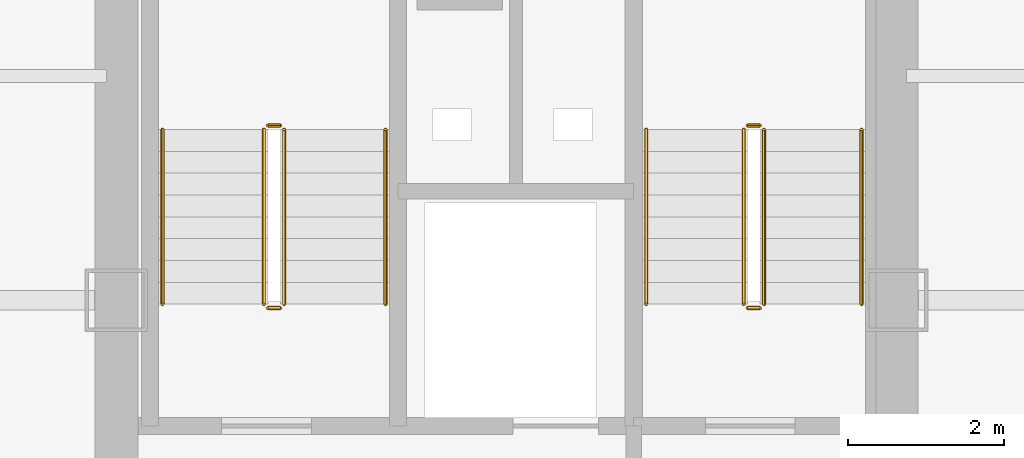
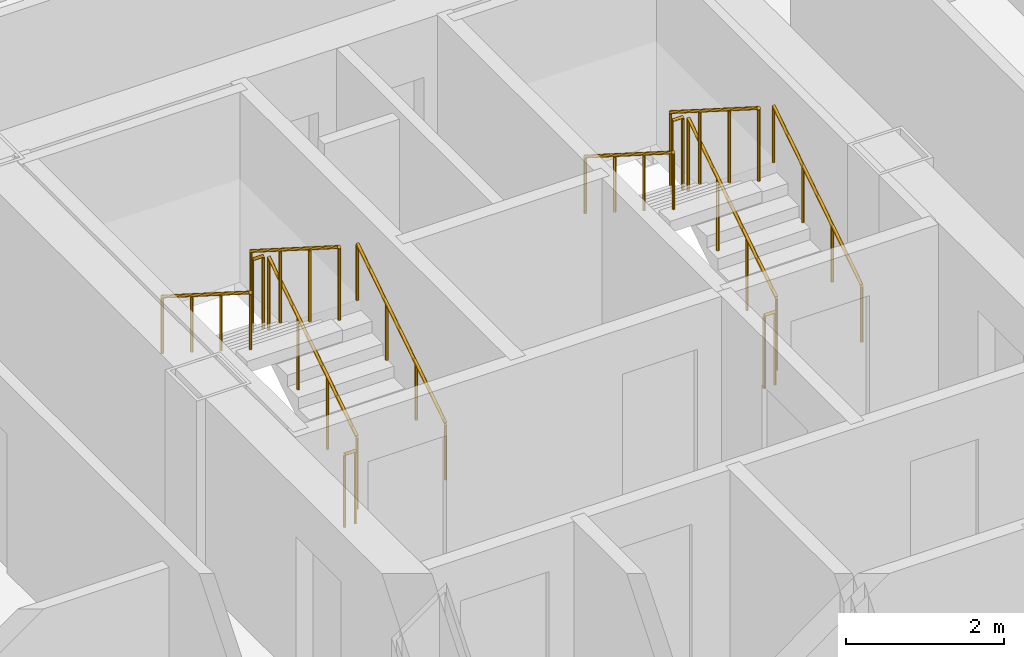
# One storey, part 20 of 21: 12 railings.
"""IFC4 building model written with IfcOpenShell, lengths in metres."""

from ifc_helpers import new_model, si_unit, direction, frame, origin, origin_2d, place, context, subcontext, project, spatial, circle, extrude, material, type_object, element, save


model = new_model("IFC4")

# Units and contexts
model_context = context("Model", 3, precision=1e-05, world=origin(), true_north=direction((0.0, 1.0)))
body_context = subcontext(model_context, "Body", "Model", "MODEL_VIEW")
ifc_project = project(units=[si_unit("LENGTHUNIT", "METRE"), si_unit("AREAUNIT", "SQUARE_METRE"), si_unit("VOLUMEUNIT", "CUBIC_METRE"), si_unit("PLANEANGLEUNIT", "RADIAN"), si_unit("MASSUNIT", "GRAM", prefix="KILO")], contexts=[model_context])

# Site, building, storey
site_placement = place(None, origin())
site = spatial("IfcSite", under=ifc_project, at=site_placement, CompositionType="ELEMENT")
building_placement = place(site_placement, origin())
building = spatial("IfcBuilding", under=site, at=building_placement, Name="Kolveth Station Tower", CompositionType="ELEMENT")
storey_placement = place(building_placement, frame((0.0, 0.0, 115.10009765625)))
storey = spatial("IfcBuildingStorey", under=building, at=storey_placement, Name="L31", CompositionType="ELEMENT", Elevation=115.10009765625)

# Railings
ifc_material_1 = material(Name="Painted Steel S355 balustrade", Category="steel")
railing_type_1 = type_object("IfcRailingType", Name="Guard_GR2", PredefinedType="BALUSTRADE", material=ifc_material_1)
railing_1_placement = place(storey_placement, frame((20.64990234375, 22.949951171875, 0.177734375)))
element("IfcRailing", 1, at=railing_1_placement, inside=storey, type_object=railing_type_1, Name="L31 ST1 stair guard 1", PredefinedType="BALUSTRADE", context=body_context, shape_type="SweptSolid", body=[
    extrude(circle(Radius=0.02392578125, at=origin_2d()), frame((0.0, 0.0, 1.1259765625), z_axis=(0.0, 0.8442293374, 0.53598211339), x_axis=(-1.0, 0.0, 0.0)), (0.0, 0.0, 1.0), 2.6533203125),
    extrude(circle(Radius=0.02099609375, at=origin_2d()), origin(), (0.0, 0.0, 1.0), 1.101806640625),
    extrude(circle(Radius=0.02099609375, at=origin_2d()), frame((0.0, 0.74658203125, 0.47412109375)), (0.0, 0.0, 1.0), 1.101806640625),
    extrude(circle(Radius=0.02099609375, at=origin_2d()), frame((0.0, 1.493408203125, 0.947998046875)), (0.0, 0.0, 1.0), 1.101806640625),
    extrude(circle(Radius=0.02099609375, at=origin_2d()), frame((0.0, 2.239990234375, 1.422119140625)), (0.0, 0.0, 1.0), 1.101806640625),
])
railing_2_placement = place(storey_placement, frame((20.60009765625, 25.239990234375, 1.599853515625)))
element("IfcRailing", 2, at=railing_2_placement, inside=storey, type_object=railing_type_1, Name="L31 ST1 stair guard 2", PredefinedType="BALUSTRADE", context=body_context, shape_type="SweptSolid", body=[
    extrude(circle(Radius=0.02392578125, at=origin_2d()), frame((0.0, 0.0, 1.1259765625), z_axis=(-1.0, 0.0, 0.0), x_axis=(0.0, -1.0, 0.0)), (0.0, 0.0, 1.0), 0.16015625),
    extrude(circle(Radius=0.02099609375, at=origin_2d()), origin(), (0.0, 0.0, 1.0), 1.101806640625),
    extrude(circle(Radius=0.02099609375, at=origin_2d()), frame((-0.16015625, 0.0, 0.0)), (0.0, 0.0, 1.0), 1.101806640625),
])
railing_3_placement = place(storey_placement, frame((20.389892578125, 25.18994140625, 1.777587890625)))
element("IfcRailing", 3, at=railing_3_placement, inside=storey, type_object=railing_type_1, Name="L31 ST1 stair guard 3", PredefinedType="BALUSTRADE", context=body_context, shape_type="SweptSolid", body=[
    extrude(circle(Radius=0.02392578125, at=origin_2d()), frame((0.0, 0.0, 1.1259765625), z_axis=(0.0, -0.84418770128, 0.536047689118), x_axis=(1.0, 0.0, 0.0)), (0.0, 0.0, 1.0), 2.6533203125),
    extrude(circle(Radius=0.02099609375, at=origin_2d()), origin(), (0.0, 0.0, 1.0), 1.101806640625),
    extrude(circle(Radius=0.02099609375, at=origin_2d()), frame((0.0, -0.74658203125, 0.47412109375)), (0.0, 0.0, 1.0), 1.101806640625),
    extrude(circle(Radius=0.02099609375, at=origin_2d()), frame((0.0, -1.493408203125, 0.9482421875)), (0.0, 0.0, 1.0), 1.101806640625),
    extrude(circle(Radius=0.02099609375, at=origin_2d()), frame((0.0, -2.239990234375, 1.42236328125)), (0.0, 0.0, 1.0), 1.101806640625),
])
railing_4_placement = place(storey_placement, frame((20.60009765625, 22.89990234375, 0.0)))
element("IfcRailing", 4, at=railing_4_placement, inside=storey, type_object=railing_type_1, Name="L31 ST1 stair guard 4", PredefinedType="BALUSTRADE", context=body_context, shape_type="SweptSolid", body=[
    extrude(circle(Radius=0.02392578125, at=origin_2d()), frame((0.0, 0.0, 1.1259765625), z_axis=(-1.0, 0.0, 0.0), x_axis=(0.0, -1.0, 0.0)), (0.0, 0.0, 1.0), 0.16015625),
    extrude(circle(Radius=0.02099609375, at=origin_2d()), origin(), (0.0, 0.0, 1.0), 1.101806640625),
    extrude(circle(Radius=0.02099609375, at=origin_2d()), frame((-0.16015625, 0.0, 0.0)), (0.0, 0.0, 1.0), 1.101806640625),
])
railing_5_placement = place(storey_placement, frame((26.800048828125, 22.949951171875, 0.177734375)))
element("IfcRailing", 5, at=railing_5_placement, inside=storey, type_object=railing_type_1, Name="L31 ST2 stair guard 1", PredefinedType="BALUSTRADE", context=body_context, shape_type="SweptSolid", body=[
    extrude(circle(Radius=0.02392578125, at=origin_2d()), frame((0.0, 0.0, 1.1259765625), z_axis=(0.0, 0.8442293374, 0.53598211339), x_axis=(-1.0, 0.0, 0.0)), (0.0, 0.0, 1.0), 2.6533203125),
    extrude(circle(Radius=0.02099609375, at=origin_2d()), origin(), (0.0, 0.0, 1.0), 1.101806640625),
    extrude(circle(Radius=0.02099609375, at=origin_2d()), frame((0.0, 0.74658203125, 0.47412109375)), (0.0, 0.0, 1.0), 1.101806640625),
    extrude(circle(Radius=0.02099609375, at=origin_2d()), frame((0.0, 1.493408203125, 0.947998046875)), (0.0, 0.0, 1.0), 1.101806640625),
    extrude(circle(Radius=0.02099609375, at=origin_2d()), frame((0.0, 2.239990234375, 1.422119140625)), (0.0, 0.0, 1.0), 1.101806640625),
])
railing_6_placement = place(storey_placement, frame((26.75, 25.239990234375, 1.599853515625)))
element("IfcRailing", 6, at=railing_6_placement, inside=storey, type_object=railing_type_1, Name="L31 ST2 stair guard 2", PredefinedType="BALUSTRADE", context=body_context, shape_type="SweptSolid", body=[
    extrude(circle(Radius=0.02392578125, at=origin_2d()), frame((0.0, 0.0, 1.1259765625), z_axis=(-1.0, 0.0, 0.0), x_axis=(0.0, -1.0, 0.0)), (0.0, 0.0, 1.0), 0.159912109375),
    extrude(circle(Radius=0.02099609375, at=origin_2d()), origin(), (0.0, 0.0, 1.0), 1.101806640625),
    extrude(circle(Radius=0.02099609375, at=origin_2d()), frame((-0.159912109375, 0.0, 0.0)), (0.0, 0.0, 1.0), 1.101806640625),
])
railing_7_placement = place(storey_placement, frame((26.5400390625, 25.18994140625, 1.777587890625)))
element("IfcRailing", 7, at=railing_7_placement, inside=storey, type_object=railing_type_1, Name="L31 ST2 stair guard 3", PredefinedType="BALUSTRADE", context=body_context, shape_type="SweptSolid", body=[
    extrude(circle(Radius=0.02392578125, at=origin_2d()), frame((0.0, 0.0, 1.1259765625), z_axis=(0.0, -0.84418770128, 0.536047689118), x_axis=(1.0, 0.0, 0.0)), (0.0, 0.0, 1.0), 2.6533203125),
    extrude(circle(Radius=0.02099609375, at=origin_2d()), origin(), (0.0, 0.0, 1.0), 1.101806640625),
    extrude(circle(Radius=0.02099609375, at=origin_2d()), frame((0.0, -0.74658203125, 0.47412109375)), (0.0, 0.0, 1.0), 1.101806640625),
    extrude(circle(Radius=0.02099609375, at=origin_2d()), frame((0.0, -1.493408203125, 0.9482421875)), (0.0, 0.0, 1.0), 1.101806640625),
    extrude(circle(Radius=0.02099609375, at=origin_2d()), frame((0.0, -2.239990234375, 1.42236328125)), (0.0, 0.0, 1.0), 1.101806640625),
])
railing_8_placement = place(storey_placement, frame((26.75, 22.89990234375, 0.0)))
element("IfcRailing", 8, at=railing_8_placement, inside=storey, type_object=railing_type_1, Name="L31 ST2 stair guard 4", PredefinedType="BALUSTRADE", context=body_context, shape_type="SweptSolid", body=[
    extrude(circle(Radius=0.02392578125, at=origin_2d()), frame((0.0, 0.0, 1.1259765625), z_axis=(-1.0, 0.0, 0.0), x_axis=(0.0, -1.0, 0.0)), (0.0, 0.0, 1.0), 0.159912109375),
    extrude(circle(Radius=0.02099609375, at=origin_2d()), origin(), (0.0, 0.0, 1.0), 1.101806640625),
    extrude(circle(Radius=0.02099609375, at=origin_2d()), frame((-0.159912109375, 0.0, 0.0)), (0.0, 0.0, 1.0), 1.101806640625),
])
ifc_material_2 = material(Name="Brushed stainless steel", Category="steel")
railing_type_2 = type_object("IfcRailingType", Name="Handrail_HR1", PredefinedType="HANDRAIL", material=ifc_material_2)
railing_9_placement = place(storey_placement, frame((21.949951171875, 22.949951171875, 0.177734375)))
element("IfcRailing", 9, at=railing_9_placement, inside=storey, type_object=railing_type_2, Name="L31 ST1 stair handrail 1", PredefinedType="HANDRAIL", context=body_context, shape_type="SweptSolid", body=[
    extrude(circle(Radius=0.02392578125, at=origin_2d()), frame((0.0, 0.0, 0.8759765625), z_axis=(0.0, 0.8442293374, 0.53598211339), x_axis=(-1.0, 0.0, 0.0)), (0.0, 0.0, 1.0), 2.6533203125),
    extrude(circle(Radius=0.02099609375, at=origin_2d()), origin(), (0.0, 0.0, 1.0), 0.851806640625),
    extrude(circle(Radius=0.02099609375, at=origin_2d()), frame((0.0, 0.74658203125, 0.47412109375)), (0.0, 0.0, 1.0), 0.851806640625),
    extrude(circle(Radius=0.02099609375, at=origin_2d()), frame((0.0, 1.493408203125, 0.947998046875)), (0.0, 0.0, 1.0), 0.851806640625),
    extrude(circle(Radius=0.02099609375, at=origin_2d()), frame((0.0, 2.239990234375, 1.422119140625)), (0.0, 0.0, 1.0), 0.851806640625),
])
railing_10_placement = place(storey_placement, frame((19.090087890625, 25.18994140625, 1.777587890625)))
element("IfcRailing", 10, at=railing_10_placement, inside=storey, type_object=railing_type_2, Name="L31 ST1 stair handrail 2", PredefinedType="HANDRAIL", context=body_context, shape_type="SweptSolid", body=[
    extrude(circle(Radius=0.02392578125, at=origin_2d()), frame((0.0, 0.0, 0.8759765625), z_axis=(0.0, -0.84418770128, 0.536047689118), x_axis=(1.0, 0.0, 0.0)), (0.0, 0.0, 1.0), 2.6533203125),
    extrude(circle(Radius=0.02099609375, at=origin_2d()), origin(), (0.0, 0.0, 1.0), 0.851806640625),
    extrude(circle(Radius=0.02099609375, at=origin_2d()), frame((0.0, -0.74658203125, 0.47412109375)), (0.0, 0.0, 1.0), 0.851806640625),
    extrude(circle(Radius=0.02099609375, at=origin_2d()), frame((0.0, -1.493408203125, 0.9482421875)), (0.0, 0.0, 1.0), 0.851806640625),
    extrude(circle(Radius=0.02099609375, at=origin_2d()), frame((0.0, -2.239990234375, 1.42236328125)), (0.0, 0.0, 1.0), 0.851806640625),
])
railing_11_placement = place(storey_placement, frame((28.050048828125, 22.949951171875, 0.177734375)))
element("IfcRailing", 11, at=railing_11_placement, inside=storey, type_object=railing_type_2, Name="L31 ST2 stair handrail 1", PredefinedType="HANDRAIL", context=body_context, shape_type="SweptSolid", body=[
    extrude(circle(Radius=0.02392578125, at=origin_2d()), frame((0.0, 0.0, 0.8759765625), z_axis=(0.0, 0.8442293374, 0.53598211339), x_axis=(-1.0, 0.0, 0.0)), (0.0, 0.0, 1.0), 2.6533203125),
    extrude(circle(Radius=0.02099609375, at=origin_2d()), origin(), (0.0, 0.0, 1.0), 0.851806640625),
    extrude(circle(Radius=0.02099609375, at=origin_2d()), frame((0.0, 0.74658203125, 0.47412109375)), (0.0, 0.0, 1.0), 0.851806640625),
    extrude(circle(Radius=0.02099609375, at=origin_2d()), frame((0.0, 1.493408203125, 0.947998046875)), (0.0, 0.0, 1.0), 0.851806640625),
    extrude(circle(Radius=0.02099609375, at=origin_2d()), frame((0.0, 2.239990234375, 1.422119140625)), (0.0, 0.0, 1.0), 0.851806640625),
])
railing_12_placement = place(storey_placement, frame((25.2900390625, 25.18994140625, 1.777587890625)))
element("IfcRailing", 12, at=railing_12_placement, inside=storey, type_object=railing_type_2, Name="L31 ST2 stair handrail 2", PredefinedType="HANDRAIL", context=body_context, shape_type="SweptSolid", body=[
    extrude(circle(Radius=0.02392578125, at=origin_2d()), frame((0.0, 0.0, 0.8759765625), z_axis=(0.0, -0.84418770128, 0.536047689118), x_axis=(1.0, 0.0, 0.0)), (0.0, 0.0, 1.0), 2.6533203125),
    extrude(circle(Radius=0.02099609375, at=origin_2d()), origin(), (0.0, 0.0, 1.0), 0.851806640625),
    extrude(circle(Radius=0.02099609375, at=origin_2d()), frame((0.0, -0.74658203125, 0.47412109375)), (0.0, 0.0, 1.0), 0.851806640625),
    extrude(circle(Radius=0.02099609375, at=origin_2d()), frame((0.0, -1.493408203125, 0.9482421875)), (0.0, 0.0, 1.0), 0.851806640625),
    extrude(circle(Radius=0.02099609375, at=origin_2d()), frame((0.0, -2.239990234375, 1.42236328125)), (0.0, 0.0, 1.0), 0.851806640625),
])

save(model, "model.ifc")
